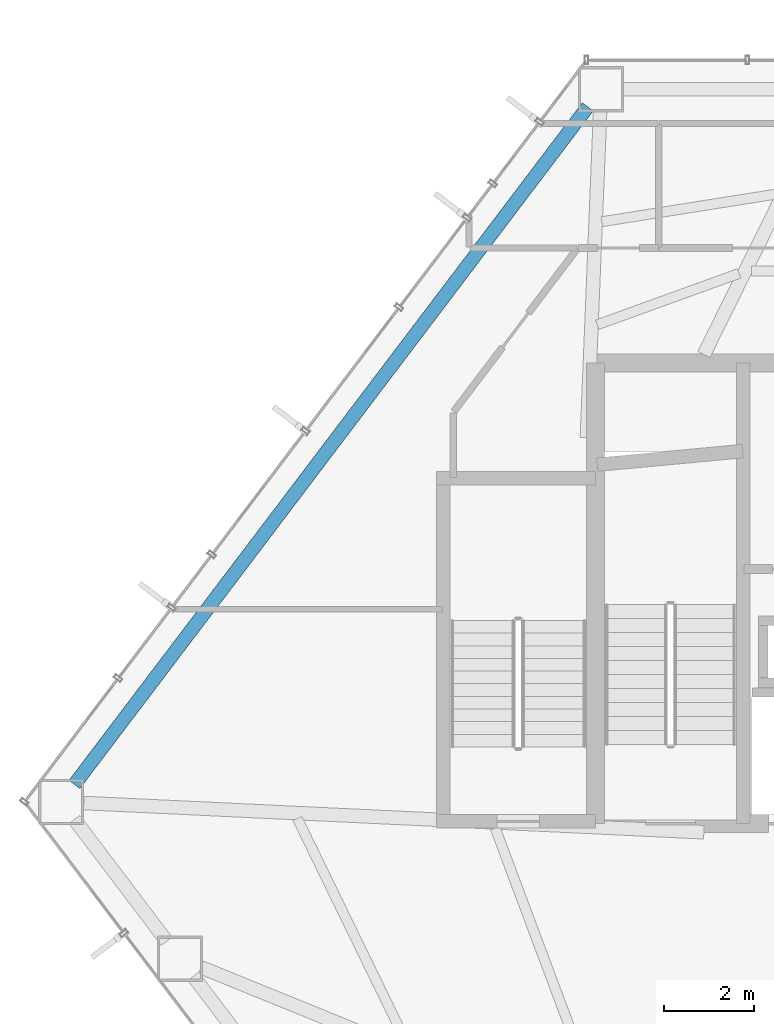
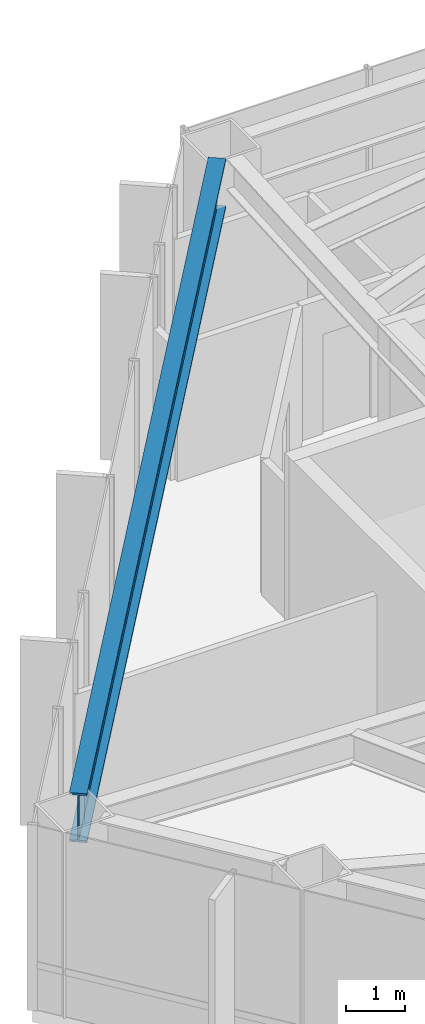
# One storey, part 10 of 26: 1 beam.
"""IFC4 building model written with IfcOpenShell, lengths in metres."""

from ifc_helpers import new_model, si_unit, direction, frame, origin, origin_2d, place, context, subcontext, project, spatial, i_section, extrude, material, material_profile, profile_set, type_object, element, save


model = new_model("IFC4")

# Units and contexts
model_context = context("Model", 3, precision=1e-05, world=origin(), true_north=direction((0.0, 1.0)))
body_context = subcontext(model_context, "Body", "Model", "MODEL_VIEW")
ifc_project = project(units=[si_unit("LENGTHUNIT", "METRE"), si_unit("AREAUNIT", "SQUARE_METRE"), si_unit("VOLUMEUNIT", "CUBIC_METRE"), si_unit("PLANEANGLEUNIT", "RADIAN"), si_unit("MASSUNIT", "GRAM", prefix="KILO")], contexts=[model_context])

# Site, building, storey
site_placement = place(None, origin())
site = spatial("IfcSite", under=ifc_project, at=site_placement, CompositionType="ELEMENT")
building_placement = place(site_placement, origin())
building = spatial("IfcBuilding", under=site, at=building_placement, Name="Zarrinselat Tower", CompositionType="ELEMENT")
storey_placement = place(building_placement, frame((0.0, 0.0, 27.5400390625)))
storey = spatial("IfcBuildingStorey", under=building, at=storey_placement, Name="L06", CompositionType="ELEMENT", Elevation=27.5400390625)

# Beam
ifc_material = material(Name="Steel S460M", Category="steel")
ifc_material_profile = material_profile(ifc_material, i_section(OverallWidth=0.302001953125, OverallDepth=1.008056640625, WebThickness=0.02099609375, FlangeThickness=0.0400390625, at=origin_2d()), Name="HEM 1000")
ifc_profile_set = profile_set([ifc_material_profile], Name="Steel S460M")
beam_type = type_object("IfcBeamType", Name="BM-HEM1000", PredefinedType="BEAM", material=ifc_profile_set)
beam_placement = place(storey_placement, frame((17.06298828125, 34.12060546875, 3.31591796875), z_axis=(0.603857687995, 0.797092148154, 0.0), x_axis=(-0.797092148154, 0.603857687995, 0.0)))
element("IfcBeam", 1, at=beam_placement, inside=storey, type_object=beam_type, Name="L06 Perimeter Spandrel Girder SP05", PredefinedType="BEAM", context=body_context, shape_type="SweptSolid", body=[
    extrude(i_section(OverallWidth=0.302001953125, OverallDepth=1.008056640625, WebThickness=0.02099609375, FlangeThickness=0.0400390625, at=origin_2d()), origin(), (0.0, 0.0, 1.0), 18.8203125),
])

save(model, "model.ifc")
